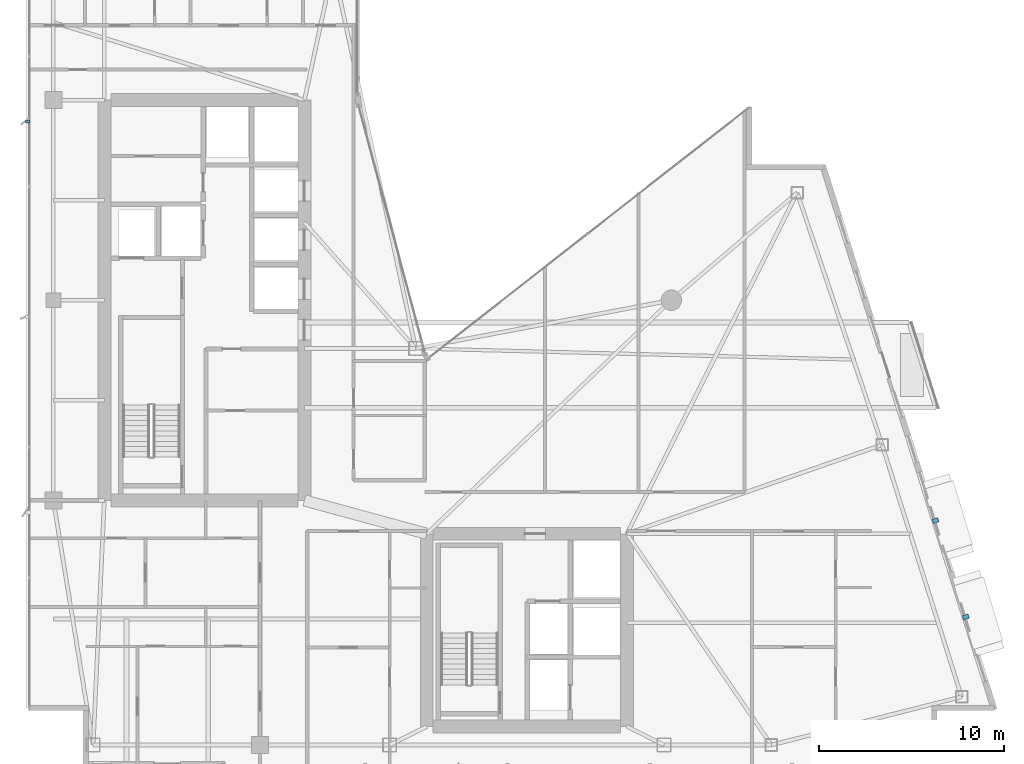
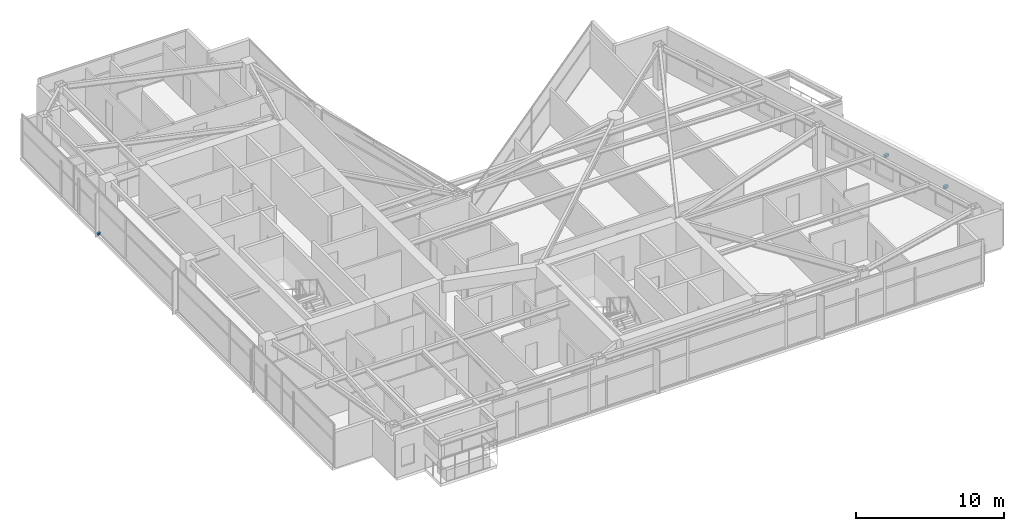
# One storey, part 28 of 30: 3 discrete accessories.
"""IFC4 building model written with IfcOpenShell, lengths in metres."""

from ifc_helpers import new_model, si_unit, direction, frame, origin, origin_2d, place, context, subcontext, project, spatial, rectangle, extrude, material, type_object, element, save


model = new_model("IFC4")

# Units and contexts
model_context = context("Model", 3, precision=1e-05, world=origin(), true_north=direction((0.0, 1.0)))
body_context = subcontext(model_context, "Body", "Model", "MODEL_VIEW")
ifc_project = project(units=[si_unit("LENGTHUNIT", "METRE"), si_unit("AREAUNIT", "SQUARE_METRE"), si_unit("VOLUMEUNIT", "CUBIC_METRE"), si_unit("PLANEANGLEUNIT", "RADIAN"), si_unit("MASSUNIT", "GRAM", prefix="KILO")], contexts=[model_context])

# Site, building, storey
site_placement = place(None, origin())
site = spatial("IfcSite", under=ifc_project, at=site_placement, CompositionType="ELEMENT")
building_placement = place(site_placement, origin())
building = spatial("IfcBuilding", under=site, at=building_placement, Name="Calvorn Quay Hotel", CompositionType="ELEMENT")
storey_placement = place(building_placement, frame((0.0, 0.0, 207.199951171875)))
storey = spatial("IfcBuildingStorey", under=building, at=storey_placement, Name="L51", CompositionType="ELEMENT", Elevation=207.199951171875)

# Discrete accessories
ifc_material = material(Name="Steel Q355B", Category="steel")
discrete_accessory_type = type_object("IfcDiscreteAccessoryType", Name="ACC-FIN-BRACKET", PredefinedType="BRACKET", material=ifc_material)
discrete_accessory_placement = place(storey_placement, frame((0.06005859375, 37.25, 0.0302734375), z_axis=(0.0, 0.0, 1.0), x_axis=(1.0, 0.0, 0.0)))
element("IfcDiscreteAccessory", 1, at=discrete_accessory_placement, inside=storey, type_object=discrete_accessory_type, Name="Fin Anchor Bracket L51-W03", PredefinedType="BRACKET", context=body_context, shape_type="SweptSolid", body=[
    extrude(rectangle(XDim=0.239990234375, YDim=0.159912109375, at=origin_2d()), origin(), (0.0, 0.0, 1.0), 0.179931640625),
])
for number, where, z_axis, x_axis, name in (
    (2, (50.695068359375, 10.511962890625, 2.3701171875), (0.0, 0.0, 1.0), (0.957319497532, 0.289031796944, 0.0), "Bay Hood Support Bracket L51-HOOD-1"),
    (3, (49.055908203125, 15.7119140625, 2.3701171875), (0.0, 0.0, 1.0), (0.957319497532, 0.289031796944, 0.0), "Bay Hood Support Bracket L51-HOOD-2"),
):
    element("IfcDiscreteAccessory", number, at=place(storey_placement, frame(where, z_axis=z_axis, x_axis=x_axis)), inside=storey, type_object=discrete_accessory_type, Name=name, PredefinedType="BRACKET", context=body_context, shape_type="SweptSolid", body=[
        extrude(rectangle(XDim=0.320068359375, YDim=0.239990234375, at=origin_2d()), origin(), (0.0, 0.0, 1.0), 0.199951171875),
    ])

save(model, "model.ifc")
